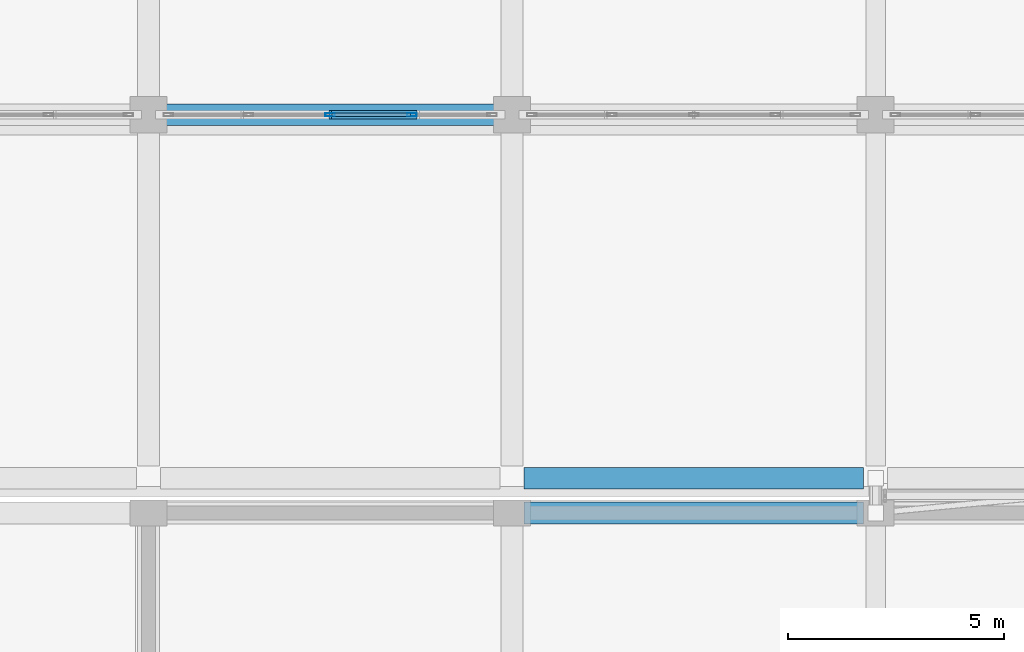
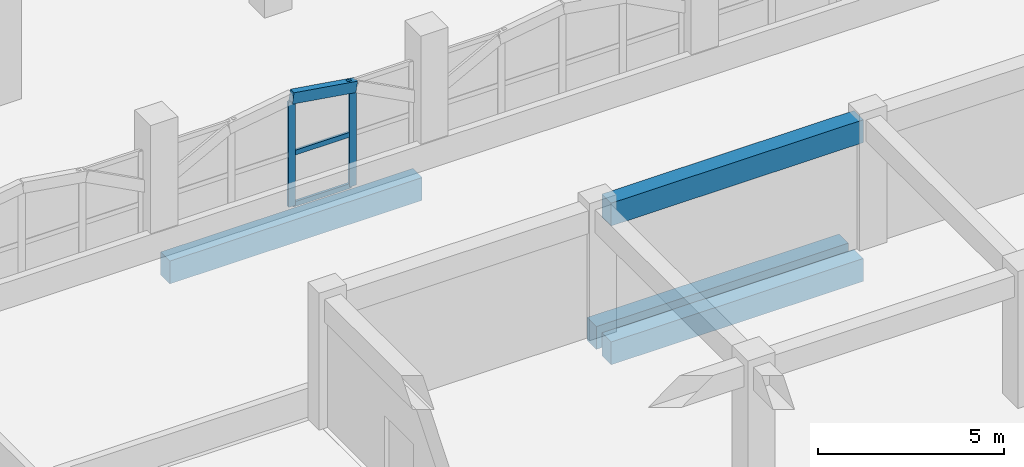
# One storey, part 15 of 129: 6 members, 4 beams, 1 element without a shape of its own.
"""IFC4 building model written with IfcOpenShell, lengths in metres."""

from ifc_helpers import new_model, si_unit, direction, frame, origin, origin_2d, place, context, subcontext, project, spatial, rectangle, hollow_rectangle, extrude, material, layer, layer_set, material_profile, profile_set, type_object, element, aggregate, save


model = new_model("IFC4")

# Units and contexts
model_context = context("Model", 3, precision=1e-05, world=origin(), true_north=direction((0.0, 1.0)))
body_context = subcontext(model_context, "Body", "Model", "MODEL_VIEW")
ifc_project = project(units=[si_unit("LENGTHUNIT", "METRE"), si_unit("AREAUNIT", "SQUARE_METRE"), si_unit("VOLUMEUNIT", "CUBIC_METRE"), si_unit("PLANEANGLEUNIT", "RADIAN"), si_unit("MASSUNIT", "GRAM", prefix="KILO")], contexts=[model_context])

# Site, building, storey
site_placement = place(None, origin())
site = spatial("IfcSite", under=ifc_project, at=site_placement, CompositionType="ELEMENT")
building_placement = place(site_placement, origin())
building = spatial("IfcBuilding", under=site, at=building_placement, Name="Xazarin Passage Department Store", CompositionType="ELEMENT")
storey_placement = place(building_placement, frame((0.0, 0.0, 9.89990234375)))
storey = spatial("IfcBuildingStorey", under=building, at=storey_placement, Name="L02", CompositionType="ELEMENT", Elevation=9.89990234375)

# Curtain wall, members
ifc_material_1 = material(Name="Bronze anodised aluminium", Category="aluminium")
ifc_layer = layer(ifc_material_1, 0.199951171875)
ifc_layer_set = layer_set([ifc_layer], Name="Bronze anodised aluminium")
curtain_wall_type = type_object("IfcCurtainWallType", Name="ARC-CW-VIT2", PredefinedType="NOTDEFINED", material=ifc_layer_set)
curtain_wall_placement = place(storey_placement, origin())
curtain_wall = element("IfcCurtainWall", 1, at=curtain_wall_placement, inside=storey, type_object=curtain_wall_type, Name="L02 V1 Curtain Wall 030", PredefinedType="NOTDEFINED")
ifc_material_profile_1 = material_profile(ifc_material_1, hollow_rectangle(XDim=0.074951171875, YDim=0.219970703125, WallThickness=0.0048828125, at=origin_2d()), Name="ALU 75x220")
ifc_profile_set_1 = profile_set([ifc_material_profile_1], Name="Bronze anodised aluminium")
member_type_1 = type_object("IfcMemberType", Name="ARC-CWM-75x220", PredefinedType="MULLION", material=ifc_profile_set_1)
member_1_placement = place(storey_placement, frame((12.60009765625, 59.60009765625, 0.0), z_axis=(0.0, 0.0, 1.0), x_axis=(0.0, 1.0, 0.0)))
member_1 = element("IfcMember", 2, at=member_1_placement, type_object=member_type_1, Name="CW2 mullion 3", PredefinedType="MULLION", context=body_context, shape_type="SweptSolid", body=[
    extrude(hollow_rectangle(XDim=0.074951171875, YDim=0.219970703125, WallThickness=0.0048828125, at=origin_2d()), origin(), (0.0, 0.0, 1.0), 3.4501953125),
])
member_2_placement = place(storey_placement, frame((14.487548828125, 59.60009765625, 0.0), z_axis=(0.0, 0.0, 1.0), x_axis=(0.0, 1.0, 0.0)))
member_2 = element("IfcMember", 3, at=member_2_placement, type_object=member_type_1, Name="CW2 mullion 4", PredefinedType="MULLION", context=body_context, shape_type="SweptSolid", body=[
    extrude(hollow_rectangle(XDim=0.074951171875, YDim=0.219970703125, WallThickness=0.0048828125, at=origin_2d()), origin(), (0.0, 0.0, 1.0), 3.4501953125),
])
ifc_material_profile_2 = material_profile(ifc_material_1, hollow_rectangle(XDim=0.074951171875, YDim=0.159912109375, WallThickness=0.00439453125, at=origin_2d()), Name="ALU 75x160")
ifc_profile_set_2 = profile_set([ifc_material_profile_2], Name="Bronze anodised aluminium")
member_type_2 = type_object("IfcMemberType", Name="ARC-CWT-75x160", PredefinedType="USERDEFINED", material=ifc_profile_set_2)
member_3_placement = place(storey_placement, frame((12.637451171875, 59.60009765625, 0.03759765625), z_axis=(1.0, 0.0, 0.0), x_axis=(0.0, 1.0, 0.0)))
member_3 = element("IfcMember", 4, at=member_3_placement, type_object=member_type_2, Name="CW2 transom 3.1", ObjectType="TRANSOM", PredefinedType="USERDEFINED", context=body_context, shape_type="SweptSolid", body=[
    extrude(hollow_rectangle(XDim=0.074951171875, YDim=0.159912109375, WallThickness=0.00439453125, at=origin_2d()), origin(), (0.0, 0.0, 1.0), 1.8125),
])
member_4_placement = place(storey_placement, frame((12.637451171875, 59.60009765625, 1.72509765625), z_axis=(1.0, 0.0, 0.0), x_axis=(0.0, 1.0, 0.0)))
member_4 = element("IfcMember", 5, at=member_4_placement, type_object=member_type_2, Name="CW2 transom 3.2", ObjectType="TRANSOM", PredefinedType="USERDEFINED", context=body_context, shape_type="SweptSolid", body=[
    extrude(hollow_rectangle(XDim=0.074951171875, YDim=0.159912109375, WallThickness=0.00439453125, at=origin_2d()), origin(), (0.0, 0.0, 1.0), 1.8125),
])
member_5_placement = place(storey_placement, frame((12.637451171875, 59.60009765625, 3.41259765625), z_axis=(1.0, 0.0, 0.0), x_axis=(0.0, 1.0, 0.0)))
member_5 = element("IfcMember", 6, at=member_5_placement, type_object=member_type_2, Name="CW2 transom 3.3", ObjectType="TRANSOM", PredefinedType="USERDEFINED", context=body_context, shape_type="SweptSolid", body=[
    extrude(hollow_rectangle(XDim=0.074951171875, YDim=0.159912109375, WallThickness=0.00439453125, at=origin_2d()), origin(), (0.0, 0.0, 1.0), 1.8125),
])
aggregate(curtain_wall, [member_1, member_2, member_3, member_4, member_5])

# Beams
ifc_material_2 = material(Name="Concrete C35/45", Category="concrete")
ifc_material_profile_3 = material_profile(ifc_material_2, rectangle(XDim=0.5, YDim=0.75, at=origin_2d()), Name="RC 500x750")
ifc_profile_set_3 = profile_set([ifc_material_profile_3], Name="Concrete C35/45")
beam_type = type_object("IfcBeamType", Name="STR-BM-SP500x750", PredefinedType="SPANDREL", material=ifc_profile_set_3)
beam_1_placement = place(storey_placement, frame((17.080078125, 51.199951171875, -0.6748046875), z_axis=(1.0, 0.0, 0.0), x_axis=(0.0, 1.0, 0.0)))
element("IfcBeam", 7, at=beam_1_placement, inside=storey, type_object=beam_type, Name="L02 Grid Beam H/3-4", PredefinedType="SPANDREL", context=body_context, shape_type="SweptSolid", body=[
    extrude(rectangle(XDim=0.5, YDim=0.75, at=origin_2d()), origin(), (0.0, 0.0, 1.0), 7.83984375),
])
beam_2_placement = place(storey_placement, frame((8.679931640625, 59.60009765625, -0.6748046875), z_axis=(1.0, 0.0, 0.0), x_axis=(0.0, 1.0, 0.0)))
element("IfcBeam", 8, at=beam_2_placement, inside=storey, type_object=beam_type, Name="L02 Grid Beam J/2-3", PredefinedType="SPANDREL", context=body_context, shape_type="SweptSolid", body=[
    extrude(rectangle(XDim=0.5, YDim=0.75, at=origin_2d()), origin(), (0.0, 0.0, 1.0), 7.840087890625),
])
for number, where, z_axis, x_axis, name in (
    (9, (17.080078125, 50.39990234375, -0.69482421875), (1.0, 0.0, 0.0), (0.0, 1.0, 0.0), "L02 Grid Beam G/3-4"),
    (10, (17.080078125, 50.39990234375, 3.864990234375), (1.0, 0.0, 0.0), (0.0, 1.0, 0.0), "L02 Grid Beam G/3-4"),
):
    element("IfcBeam", number, at=place(storey_placement, frame(where, z_axis=z_axis, x_axis=x_axis)), inside=storey, type_object=beam_type, Name=name, PredefinedType="SPANDREL", context=body_context, shape_type="SweptSolid", body=[
        extrude(rectangle(XDim=0.5, YDim=0.75, at=origin_2d()), origin(), (0.0, 0.0, 1.0), 7.83984375),
    ])

# Member
ifc_material_3 = material(Name="Concrete C40/50", Category="concrete")
ifc_material_profile_4 = material_profile(ifc_material_3, rectangle(XDim=0.199951171875, YDim=0.360107421875, at=origin_2d()), Name="RC 200x360")
ifc_profile_set_4 = profile_set([ifc_material_profile_4], Name="Concrete C40/50")
member_type_3 = type_object("IfcMemberType", Name="STR-MEM-ARC360", PredefinedType="CHORD", material=ifc_profile_set_4)
member_6_placement = place(storey_placement, frame((12.60009765625, 59.60009765625, 3.580078125), z_axis=(0.987935652704, 0.0, -0.154864928623), x_axis=(0.0, 1.0, 0.0)))
element("IfcMember", 11, at=member_6_placement, inside=storey, type_object=member_type_3, Name="L02 V1 Upper Setback Pierced Arch 004.3", PredefinedType="CHORD", context=body_context, shape_type="SweptSolid", body=[
    extrude(rectangle(XDim=0.199951171875, YDim=0.360107421875, at=origin_2d()), origin(), (0.0, 0.0, 1.0), 1.9990234375),
])

save(model, "model.ifc")
